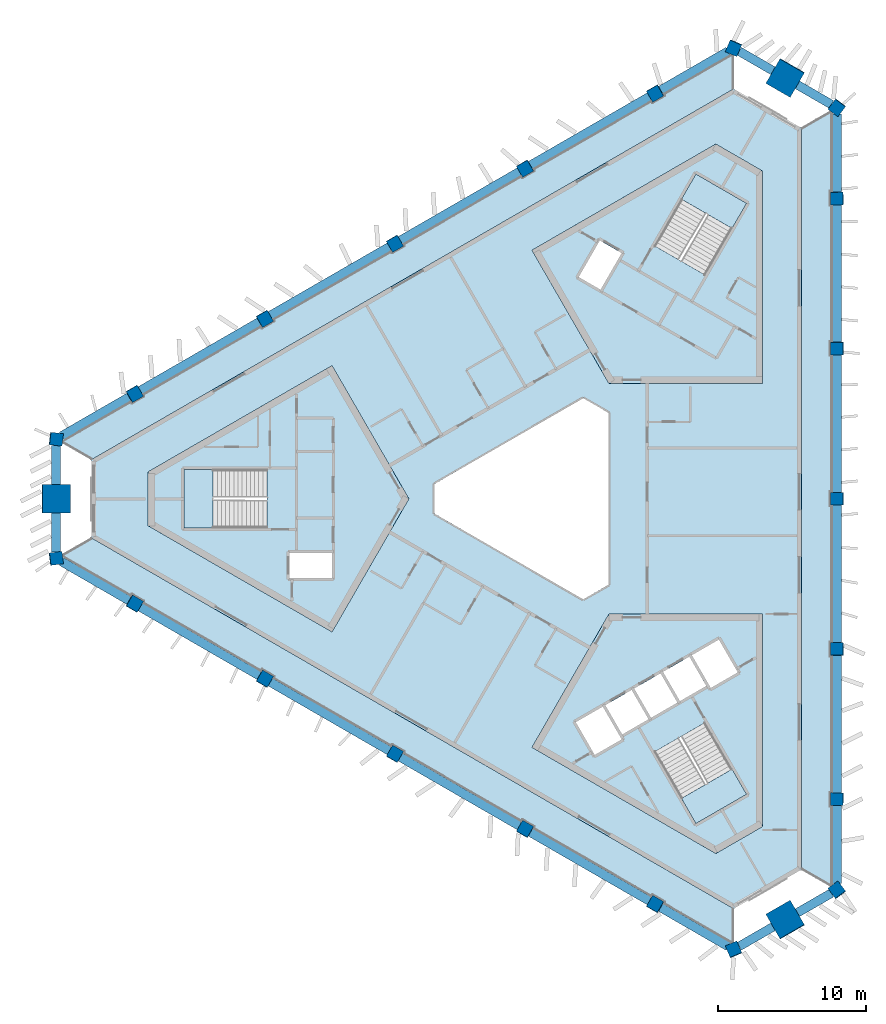
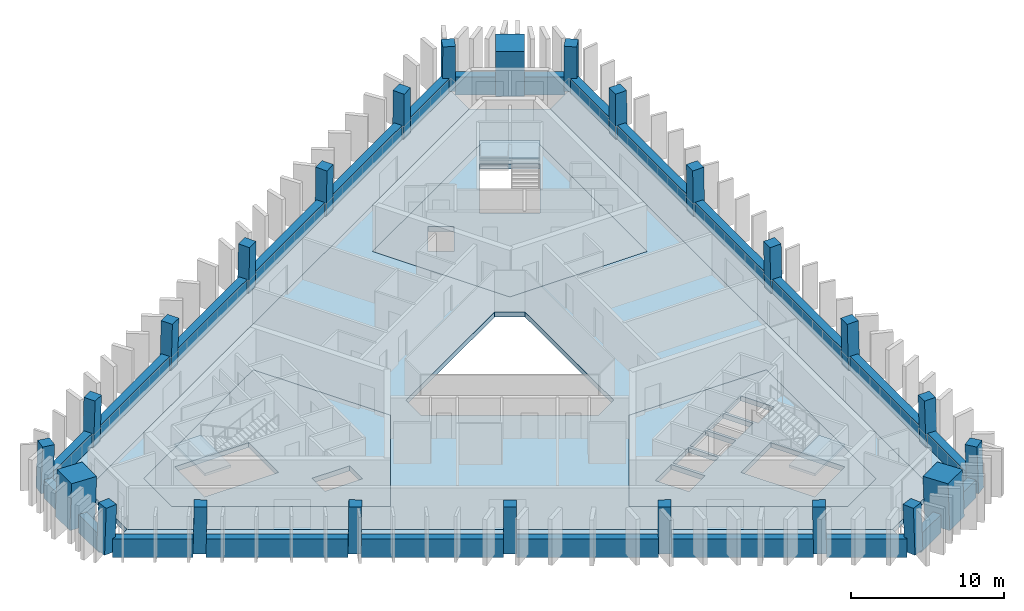
# One storey, part 1 of 9: 24 beams, 24 columns, 10 slabs, 3 elements without a shape of their own.
"""IFC4 building model written with IfcOpenShell, lengths in metres."""

from ifc_helpers import new_model, si_unit, direction, frame, origin, origin_2d, place, context, subcontext, project, spatial, polyline, rectangle, outline, extrude, material, layer, layer_set, material_profile, profile_set, type_object, element, aggregate, save


model = new_model("IFC4")

# Units and contexts
model_context = context("Model", 3, precision=1e-05, world=origin(), true_north=direction((0.0, 1.0)))
body_context = subcontext(model_context, "Body", "Model", "MODEL_VIEW")
ifc_project = project(units=[si_unit("LENGTHUNIT", "METRE"), si_unit("AREAUNIT", "SQUARE_METRE"), si_unit("VOLUMEUNIT", "CUBIC_METRE"), si_unit("PLANEANGLEUNIT", "RADIAN"), si_unit("MASSUNIT", "GRAM", prefix="KILO")], contexts=[model_context])

# Site, building, storey
site_placement = place(None, origin())
site = spatial("IfcSite", under=ifc_project, at=site_placement, CompositionType="ELEMENT")
building_placement = place(site_placement, origin())
building = spatial("IfcBuilding", under=site, at=building_placement, Name="Jabali Bay Hotel Tower and Convention Centre", CompositionType="ELEMENT")
storey_placement = place(building_placement, frame((0.0, 0.0, 235.39990234375)))
storey = spatial("IfcBuildingStorey", under=building, at=storey_placement, Name="L58", CompositionType="ELEMENT", Elevation=235.39990234375)

# Columns
ifc_material_1 = material(Name="Concrete C60", Category="concrete")
ifc_material_profile_1 = material_profile(ifc_material_1, rectangle(XDim=0.85009765625, YDim=0.85009765625, at=origin_2d()), Name="Frame column 850")
ifc_profile_set_1 = profile_set([ifc_material_profile_1], Name="Concrete C60")
column_type_1 = type_object("IfcColumnType", Name="Frame column 850", PredefinedType="COLUMN", material=ifc_profile_set_1)
column_1_placement = place(storey_placement, frame((82.6279296875, 107.38623046875, 0.0), z_axis=(-0.008375902173, -0.028161497857, 0.999568293966), x_axis=(0.865850883257, 0.499846917191, 0.021337931896)))
element("IfcColumn", 1, at=column_1_placement, inside=storey, type_object=column_type_1, Name="FC5 F1.1 L58", PredefinedType="COLUMN", context=body_context, shape_type="SweptSolid", body=[
    extrude(rectangle(XDim=0.85009765625, YDim=0.85009765625, at=origin_2d()), origin(), (0.0, 0.0, 1.0), 3.701904296875),
])
column_2_placement = place(storey_placement, frame((73.838134765625, 102.3115234375, 0.0), z_axis=(0.000857522362, -0.02282328747, 0.99973914708), x_axis=(0.866060219166, 0.499825864794, 0.010667786116)))
element("IfcColumn", 2, at=column_2_placement, inside=storey, type_object=column_type_1, Name="FC5 F1.2 L58", PredefinedType="COLUMN", context=body_context, shape_type="SweptSolid", body=[
    extrude(rectangle(XDim=0.85009765625, YDim=0.85009765625, at=origin_2d()), origin(), (0.0, 0.0, 1.0), 3.701171875),
])
column_3_placement = place(storey_placement, frame((65.04833984375, 97.236572265625, 0.0), z_axis=(0.010092954999, -0.017481261926, 0.999796248113), x_axis=(-0.499897099477, 0.865849541015, 0.020185694417)))
element("IfcColumn", 3, at=column_3_placement, inside=storey, type_object=column_type_1, Name="FC5 F1.3 L58", PredefinedType="COLUMN", context=body_context, shape_type="SweptSolid", body=[
    extrude(rectangle(XDim=0.85009765625, YDim=0.85009765625, at=origin_2d()), origin(), (0.0, 0.0, 1.0), 3.700927734375),
])
column_4_placement = place(storey_placement, frame((56.258544921875, 92.161865234375, 0.0), z_axis=(0.019327242333, -0.012137244332, 0.999739538582), x_axis=(-0.500214328423, 0.865666448646, 0.020179824807)))
element("IfcColumn", 4, at=column_4_placement, inside=storey, type_object=column_type_1, Name="FC5 F1.4 L58", PredefinedType="COLUMN", context=body_context, shape_type="SweptSolid", body=[
    extrude(rectangle(XDim=0.85009765625, YDim=0.85009765625, at=origin_2d()), origin(), (0.0, 0.0, 1.0), 3.701171875),
])
for number, where, z_axis, x_axis, name in (
    (5, (47.468994140625, 87.087158203125, 0.0), (0.028557232129, -0.006793059837, 0.999569076568), (-0.500407681469, 0.865554719029, 0.0201787188), "FC5 F1.5 L58"),
    (6, (47.468994140625, 72.912841796875, 0.0), (0.028557232129, 0.006793059837, 0.999569076568), (-0.865318806464, 0.500768292431, 0.021318547709), "FC5 F2.1 L58"),
):
    element("IfcColumn", number, at=place(storey_placement, frame(where, z_axis=z_axis, x_axis=x_axis)), inside=storey, type_object=column_type_1, Name=name, PredefinedType="COLUMN", context=body_context, shape_type="SweptSolid", body=[
        extrude(rectangle(XDim=0.85009765625, YDim=0.85009765625, at=origin_2d()), origin(), (0.0, 0.0, 1.0), 3.701904296875),
    ])
column_5_placement = place(storey_placement, frame((56.258544921875, 67.838134765625, 0.0), z_axis=(0.019327242333, 0.012137244332, 0.999739538582), x_axis=(-0.865685903399, 0.500474062253, 0.01065972171)))
element("IfcColumn", 7, at=column_5_placement, inside=storey, type_object=column_type_1, Name="FC5 F2.2 L58", PredefinedType="COLUMN", context=body_context, shape_type="SweptSolid", body=[
    extrude(rectangle(XDim=0.85009765625, YDim=0.85009765625, at=origin_2d()), origin(), (0.0, 0.0, 1.0), 3.701171875),
])
column_6_placement = place(storey_placement, frame((65.04833984375, 62.763427734375, 0.0), z_axis=(0.010092954999, 0.017481261926, 0.999796248113), x_axis=(-0.866025993948, 0.499998977805, 1.48321e-07)))
element("IfcColumn", 8, at=column_6_placement, inside=storey, type_object=column_type_1, Name="FC5 F2.3 L58", PredefinedType="COLUMN", context=body_context, shape_type="SweptSolid", body=[
    extrude(rectangle(XDim=0.85009765625, YDim=0.85009765625, at=origin_2d()), origin(), (0.0, 0.0, 1.0), 3.700927734375),
])
column_7_placement = place(storey_placement, frame((73.838134765625, 57.6884765625, 0.0), z_axis=(0.000857522362, 0.02282328747, 0.99973914708), x_axis=(-0.499938957707, -0.865825156964, 0.020194953204)))
element("IfcColumn", 9, at=column_7_placement, inside=storey, type_object=column_type_1, Name="FC5 F2.4 L58", PredefinedType="COLUMN", context=body_context, shape_type="SweptSolid", body=[
    extrude(rectangle(XDim=0.85009765625, YDim=0.85009765625, at=origin_2d()), origin(), (0.0, 0.0, 1.0), 3.701171875),
])
for number, where, z_axis, x_axis, name in (
    (10, (82.6279296875, 52.61376953125, 0.0), (-0.008375902173, 0.028161497857, 0.999568293966), (-0.500232038384, -0.865655814636, 0.020196988914), "FC5 F2.5 L58"),
    (11, (94.903076171875, 59.700927734375, 0.0), (-0.02011540391, 0.021302542501, 0.999570693952), (-0.001404796545, -0.999772598535, 0.021278575243), "FC5 F0.1 L58"),
):
    element("IfcColumn", number, at=place(storey_placement, frame(where, z_axis=z_axis, x_axis=x_axis)), inside=storey, type_object=column_type_1, Name=name, PredefinedType="COLUMN", context=body_context, shape_type="SweptSolid", body=[
        extrude(rectangle(XDim=0.85009765625, YDim=0.85009765625, at=origin_2d()), origin(), (0.0, 0.0, 1.0), 3.701904296875),
    ])
column_8_placement = place(storey_placement, frame((94.903076171875, 69.8505859375, 0.0), z_axis=(-0.020118834968, 0.010620106327, 0.999741189419), x_axis=(0.000183316184, -0.999943526252, 0.010625944785)))
element("IfcColumn", 12, at=column_8_placement, inside=storey, type_object=column_type_1, Name="FC5 F0.2 L58", PredefinedType="COLUMN", context=body_context, shape_type="SweptSolid", body=[
    extrude(rectangle(XDim=0.85009765625, YDim=0.85009765625, at=origin_2d()), origin(), (0.0, 0.0, 1.0), 3.701171875),
])
column_9_placement = place(storey_placement, frame((94.903076171875, 80.0, 0.0), z_axis=(-0.020119969632, 0.0, 0.999797572923), x_axis=(0.0, -1.0, 0.0)))
element("IfcColumn", 13, at=column_9_placement, inside=storey, type_object=column_type_1, Name="FC5 F0.3 L58", PredefinedType="COLUMN", context=body_context, shape_type="SweptSolid", body=[
    extrude(rectangle(XDim=0.85009765625, YDim=0.85009765625, at=origin_2d()), origin(), (0.0, 0.0, 1.0), 3.700927734375),
])
column_10_placement = place(storey_placement, frame((94.903076171875, 90.1494140625, 0.0), z_axis=(-0.020118834968, -0.010620106327, 0.999741189419), x_axis=(0.99979757895, -0.00039705037, 0.020115751944)))
element("IfcColumn", 14, at=column_10_placement, inside=storey, type_object=column_type_1, Name="FC5 F0.4 L58", PredefinedType="COLUMN", context=body_context, shape_type="SweptSolid", body=[
    extrude(rectangle(XDim=0.85009765625, YDim=0.85009765625, at=origin_2d()), origin(), (0.0, 0.0, 1.0), 3.701171875),
])
column_11_placement = place(storey_placement, frame((94.903076171875, 100.299072265625, 0.0), z_axis=(-0.02011540391, -0.021302542501, 0.999570693952), x_axis=(0.999796677866, 0.000976166322, 0.020140755376)))
element("IfcColumn", 15, at=column_11_placement, inside=storey, type_object=column_type_1, Name="FC5 F0.5 L58", PredefinedType="COLUMN", context=body_context, shape_type="SweptSolid", body=[
    extrude(rectangle(XDim=0.85009765625, YDim=0.85009765625, at=origin_2d()), origin(), (0.0, 0.0, 1.0), 3.701904296875),
])
for number, where, z_axis, x_axis, name in (
    (16, (94.903076171875, 53.576171875, 0.0), (-0.020111499633, 0.029013310947, 0.999376683423), (-0.799790502344, -0.600277751073, 0.00133188884), "FC5 V0 L58"),
    (17, (94.903076171875, 106.423828125, 0.0), (-0.020111499633, -0.029013310947, 0.999376683423), (0.599942230505, 0.799265193384, 0.035277056307), "FC5 V1 L58"),
    (18, (87.93212890625, 110.448486328125, 0.0), (-0.015034182801, -0.031914668753, 0.999377519892), (0.920073248874, -0.391744106733, 0.001330994529), "FC5 V2 L58"),
    (19, (42.164794921875, 84.024658203125, 0.0), (0.035145708895, -0.002967273734, 0.999377793646), (-0.991951695762, 0.121612411524, 0.035245632908), "FC5 V3 L58"),
    (20, (42.164794921875, 75.975341796875, 0.0), (0.035145708895, 0.002967273734, 0.999377793646), (-0.121641326949, 0.992573229868, 0.001330762201), "FC5 V4 L58"),
    (21, (87.93212890625, 49.551513671875, 0.0), (-0.015034182801, 0.031914668753, 0.999377519892), (0.39145777557, -0.919520531994, 0.035253385479), "FC5 V5 L58"),
):
    element("IfcColumn", number, at=place(storey_placement, frame(where, z_axis=z_axis, x_axis=x_axis)), inside=storey, type_object=column_type_1, Name=name, PredefinedType="COLUMN", context=body_context, shape_type="SweptSolid", body=[
        extrude(rectangle(XDim=0.85009765625, YDim=0.85009765625, at=origin_2d()), origin(), (0.0, 0.0, 1.0), 3.702392578125),
    ])
ifc_material_2 = material(Name="Concrete C70", Category="concrete")
ifc_material_profile_2 = material_profile(ifc_material_2, rectangle(XDim=1.89990234375, YDim=1.89990234375, at=origin_2d()), Name="Mega column 1900")
ifc_profile_set_2 = profile_set([ifc_material_profile_2], Name="Concrete C70")
column_type_2 = type_object("IfcColumnType", Name="Mega column 1900", PredefinedType="COLUMN", material=ifc_profile_set_2)
for number, where, z_axis, x_axis, name in (
    (22, (91.417724609375, 108.436279296875, 0.0), (-0.017605841609, -0.030529980019, 0.999378784376), (0.866282372425, -0.499554652892, 2.36814e-07), "MC5 M1 L58"),
    (23, (42.164794921875, 80.0, 0.0), (0.03514586362, 0.0, 0.999382193293), (0.0, 1.0, 0.0), "MC5 M0 L58"),
    (24, (91.417724609375, 51.563720703125, 0.0), (-0.017605841609, 0.030529980019, 0.999378784376), (0.499244314507, -0.86574422845, 0.035242663615), "MC5 M2 L58"),
):
    element("IfcColumn", number, at=place(storey_placement, frame(where, z_axis=z_axis, x_axis=x_axis)), inside=storey, type_object=column_type_2, Name=name, PredefinedType="COLUMN", context=body_context, shape_type="SweptSolid", body=[
        extrude(rectangle(XDim=1.89990234375, YDim=1.89990234375, at=origin_2d()), origin(), (0.0, 0.0, 1.0), 3.702392578125),
    ])

# Beams
ifc_material_profile_3 = material_profile(ifc_material_1, rectangle(XDim=0.60009765625, YDim=1.449951171875, at=origin_2d()), Name="Spandrel 600x1450")
ifc_profile_set_3 = profile_set([ifc_material_profile_3], Name="Concrete C60")
beam_type = type_object("IfcBeamType", Name="Spandrel 600x1450", PredefinedType="SPANDREL", material=ifc_profile_set_3)
beam_1_placement = place(storey_placement, frame((90.58837890625, 108.899658203125, 0.375), z_axis=(-0.866016748302, 0.500014991436, 0.0), x_axis=(-0.500014991436, -0.866016748302, 0.0)))
element("IfcBeam", 25, at=beam_1_placement, inside=storey, type_object=beam_type, Name="Spandrel M1-V2 L58", PredefinedType="SPANDREL", context=body_context, shape_type="SweptSolid", body=[
    extrude(rectangle(XDim=0.60009765625, YDim=1.449951171875, at=origin_2d()), origin(), (0.0, 0.0, 1.0), 2.64892578125),
])
beam_2_placement = place(storey_placement, frame((87.558349609375, 110.22412109375, 0.375), z_axis=(-0.866014374981, -0.500019101961, 0.0), x_axis=(0.500019101961, -0.866014374981, 0.0)))
element("IfcBeam", 26, at=beam_2_placement, inside=storey, type_object=beam_type, Name="Spandrel V2-F1.1 L58", PredefinedType="SPANDREL", context=body_context, shape_type="SweptSolid", body=[
    extrude(rectangle(XDim=0.60009765625, YDim=1.449951171875, at=origin_2d()), origin(), (0.0, 0.0, 1.0), 5.271728515625),
])
beam_3_placement = place(storey_placement, frame((82.256591796875, 107.1630859375, 0.375), z_axis=(-0.866025067441, -0.500000582564, 0.0), x_axis=(0.500000582564, -0.866025067441, 0.0)))
element("IfcBeam", 27, at=beam_3_placement, inside=storey, type_object=beam_type, Name="Spandrel F1.1-F1.2 L58", PredefinedType="SPANDREL", context=body_context, shape_type="SweptSolid", body=[
    extrude(rectangle(XDim=0.60009765625, YDim=1.449951171875, at=origin_2d()), origin(), (0.0, 0.0, 1.0), 9.29541015625),
])
beam_4_placement = place(storey_placement, frame((73.470458984375, 102.09033203125, 0.375), z_axis=(-0.8660316334, -0.499989209833, 0.0), x_axis=(0.499989209833, -0.8660316334, 0.0)))
element("IfcBeam", 28, at=beam_4_placement, inside=storey, type_object=beam_type, Name="Spandrel F1.2-F1.3 L58", PredefinedType="SPANDREL", context=body_context, shape_type="SweptSolid", body=[
    extrude(rectangle(XDim=0.60009765625, YDim=1.449951171875, at=origin_2d()), origin(), (0.0, 0.0, 1.0), 9.295654296875),
])
beam_5_placement = place(storey_placement, frame((64.68408203125, 97.017578125, 0.375), z_axis=(-0.866025067441, -0.500000582564, 0.0), x_axis=(0.500000582564, -0.866025067441, 0.0)))
element("IfcBeam", 29, at=beam_5_placement, inside=storey, type_object=beam_type, Name="Spandrel F1.3-F1.4 L58", PredefinedType="SPANDREL", context=body_context, shape_type="SweptSolid", body=[
    extrude(rectangle(XDim=0.60009765625, YDim=1.449951171875, at=origin_2d()), origin(), (0.0, 0.0, 1.0), 9.29541015625),
])
beam_6_placement = place(storey_placement, frame((55.89794921875, 91.94482421875, 0.375), z_axis=(-0.8660316334, -0.499989209833, 0.0), x_axis=(0.499989209833, -0.8660316334, 0.0)))
element("IfcBeam", 30, at=beam_6_placement, inside=storey, type_object=beam_type, Name="Spandrel F1.4-F1.5 L58", PredefinedType="SPANDREL", context=body_context, shape_type="SweptSolid", body=[
    extrude(rectangle(XDim=0.60009765625, YDim=1.449951171875, at=origin_2d()), origin(), (0.0, 0.0, 1.0), 9.295654296875),
])
beam_7_placement = place(storey_placement, frame((47.111572265625, 86.8720703125, 0.375), z_axis=(-0.866025952902, -0.4999990489, 0.0), x_axis=(0.4999990489, -0.866025952902, 0.0)))
element("IfcBeam", 31, at=beam_7_placement, inside=storey, type_object=beam_type, Name="Spandrel F1.5-V3 L58", PredefinedType="SPANDREL", context=body_context, shape_type="SweptSolid", body=[
    extrude(rectangle(XDim=0.60009765625, YDim=1.449951171875, at=origin_2d()), origin(), (0.0, 0.0, 1.0), 5.27197265625),
])
for number, where, z_axis, x_axis, name in (
    (32, (42.177978515625, 83.5986328125, 0.375), (0.0, -1.0, 0.0), (1.0, 0.0, 0.0), "Spandrel V3-M0 L58"),
    (33, (42.177978515625, 79.050048828125, 0.375), (0.0, -1.0, 0.0), (1.0, 0.0, 0.0), "Spandrel M0-V4 L58"),
):
    element("IfcBeam", number, at=place(storey_placement, frame(where, z_axis=z_axis, x_axis=x_axis)), inside=storey, type_object=beam_type, Name=name, PredefinedType="SPANDREL", context=body_context, shape_type="SweptSolid", body=[
        extrude(rectangle(XDim=0.60009765625, YDim=1.449951171875, at=origin_2d()), origin(), (0.0, 0.0, 1.0), 2.648681640625),
    ])
beam_8_placement = place(storey_placement, frame((42.5458984375, 75.763916015625, 0.375), z_axis=(0.866025952902, -0.4999990489, 0.0), x_axis=(0.4999990489, 0.866025952902, 0.0)))
element("IfcBeam", 34, at=beam_8_placement, inside=storey, type_object=beam_type, Name="Spandrel V4-F2.1 L58", PredefinedType="SPANDREL", context=body_context, shape_type="SweptSolid", body=[
    extrude(rectangle(XDim=0.60009765625, YDim=1.449951171875, at=origin_2d()), origin(), (0.0, 0.0, 1.0), 5.27197265625),
])
beam_9_placement = place(storey_placement, frame((47.84765625, 72.702880859375, 0.375), z_axis=(0.8660316334, -0.499989209833, 0.0), x_axis=(0.499989209833, 0.8660316334, 0.0)))
element("IfcBeam", 35, at=beam_9_placement, inside=storey, type_object=beam_type, Name="Spandrel F2.1-F2.2 L58", PredefinedType="SPANDREL", context=body_context, shape_type="SweptSolid", body=[
    extrude(rectangle(XDim=0.60009765625, YDim=1.449951171875, at=origin_2d()), origin(), (0.0, 0.0, 1.0), 9.295654296875),
])
beam_10_placement = place(storey_placement, frame((56.634033203125, 67.630126953125, 0.375), z_axis=(0.866025067441, -0.500000582564, 0.0), x_axis=(0.500000582564, 0.866025067441, 0.0)))
element("IfcBeam", 36, at=beam_10_placement, inside=storey, type_object=beam_type, Name="Spandrel F2.2-F2.3 L58", PredefinedType="SPANDREL", context=body_context, shape_type="SweptSolid", body=[
    extrude(rectangle(XDim=0.60009765625, YDim=1.449951171875, at=origin_2d()), origin(), (0.0, 0.0, 1.0), 9.29541015625),
])
beam_11_placement = place(storey_placement, frame((65.420166015625, 62.557373046875, 0.375), z_axis=(0.8660316334, -0.499989209833, 0.0), x_axis=(0.499989209833, 0.8660316334, 0.0)))
element("IfcBeam", 37, at=beam_11_placement, inside=storey, type_object=beam_type, Name="Spandrel F2.3-F2.4 L58", PredefinedType="SPANDREL", context=body_context, shape_type="SweptSolid", body=[
    extrude(rectangle(XDim=0.60009765625, YDim=1.449951171875, at=origin_2d()), origin(), (0.0, 0.0, 1.0), 9.295654296875),
])
beam_12_placement = place(storey_placement, frame((74.20654296875, 57.484619140625, 0.375), z_axis=(0.866025067441, -0.500000582564, 0.0), x_axis=(0.500000582564, 0.866025067441, 0.0)))
element("IfcBeam", 38, at=beam_12_placement, inside=storey, type_object=beam_type, Name="Spandrel F2.4-F2.5 L58", PredefinedType="SPANDREL", context=body_context, shape_type="SweptSolid", body=[
    extrude(rectangle(XDim=0.60009765625, YDim=1.449951171875, at=origin_2d()), origin(), (0.0, 0.0, 1.0), 9.29541015625),
])
beam_13_placement = place(storey_placement, frame((82.992919921875, 52.411865234375, 0.375), z_axis=(0.866014374981, -0.500019101961, 0.0), x_axis=(0.500019101961, 0.866014374981, 0.0)))
element("IfcBeam", 39, at=beam_13_placement, inside=storey, type_object=beam_type, Name="Spandrel F2.5-V5 L58", PredefinedType="SPANDREL", context=body_context, shape_type="SweptSolid", body=[
    extrude(rectangle(XDim=0.60009765625, YDim=1.449951171875, at=origin_2d()), origin(), (0.0, 0.0, 1.0), 5.271728515625),
])
beam_14_placement = place(storey_placement, frame((88.29443359375, 49.77587890625, 0.375), z_axis=(0.866016748302, 0.500014991436, 0.0), x_axis=(-0.500014991436, 0.866016748302, 0.0)))
element("IfcBeam", 40, at=beam_14_placement, inside=storey, type_object=beam_type, Name="Spandrel V5-M2 L58", PredefinedType="SPANDREL", context=body_context, shape_type="SweptSolid", body=[
    extrude(rectangle(XDim=0.60009765625, YDim=1.449951171875, at=origin_2d()), origin(), (0.0, 0.0, 1.0), 2.64892578125),
])
beam_15_placement = place(storey_placement, frame((92.23388671875, 52.05029296875, 0.375), z_axis=(0.866033617385, 0.499985773357, 0.0), x_axis=(-0.499985773357, 0.866033617385, 0.0)))
element("IfcBeam", 41, at=beam_15_placement, inside=storey, type_object=beam_type, Name="Spandrel M2-V0 L58", PredefinedType="SPANDREL", context=body_context, shape_type="SweptSolid", body=[
    extrude(rectangle(XDim=0.60009765625, YDim=1.449951171875, at=origin_2d()), origin(), (0.0, 0.0, 1.0), 2.6484375),
])
beam_16_placement = place(storey_placement, frame((94.8955078125, 54.011962890625, 0.375), z_axis=(0.0, 1.0, 0.0), x_axis=(-1.0, 0.0, 0.0)))
element("IfcBeam", 42, at=beam_16_placement, inside=storey, type_object=beam_type, Name="Spandrel V0-F0.1 L58", PredefinedType="SPANDREL", context=body_context, shape_type="SweptSolid", body=[
    extrude(rectangle(XDim=0.60009765625, YDim=1.449951171875, at=origin_2d()), origin(), (0.0, 0.0, 1.0), 5.27197265625),
])
for number, where, z_axis, x_axis, name in (
    (43, (94.8955078125, 60.134033203125, 0.375), (0.0, 1.0, 0.0), (-1.0, 0.0, 0.0), "Spandrel F0.1-F0.2 L58"),
    (44, (94.8955078125, 70.279541015625, 0.375), (0.0, 1.0, 0.0), (-1.0, 0.0, 0.0), "Spandrel F0.2-F0.3 L58"),
    (45, (94.8955078125, 80.425048828125, 0.375), (0.0, 1.0, 0.0), (-1.0, 0.0, 0.0), "Spandrel F0.3-F0.4 L58"),
    (46, (94.8955078125, 90.570556640625, 0.375), (0.0, 1.0, 0.0), (-1.0, 0.0, 0.0), "Spandrel F0.4-F0.5 L58"),
):
    element("IfcBeam", number, at=place(storey_placement, frame(where, z_axis=z_axis, x_axis=x_axis)), inside=storey, type_object=beam_type, Name=name, PredefinedType="SPANDREL", context=body_context, shape_type="SweptSolid", body=[
        extrude(rectangle(XDim=0.60009765625, YDim=1.449951171875, at=origin_2d()), origin(), (0.0, 0.0, 1.0), 9.29541015625),
    ])
beam_17_placement = place(storey_placement, frame((94.8955078125, 100.716064453125, 0.375), z_axis=(0.0, 1.0, 0.0), x_axis=(-1.0, 0.0, 0.0)))
element("IfcBeam", 47, at=beam_17_placement, inside=storey, type_object=beam_type, Name="Spandrel F0.5-V1 L58", PredefinedType="SPANDREL", context=body_context, shape_type="SweptSolid", body=[
    extrude(rectangle(XDim=0.60009765625, YDim=1.449951171875, at=origin_2d()), origin(), (0.0, 0.0, 1.0), 5.27197265625),
])
beam_18_placement = place(storey_placement, frame((94.527587890625, 106.62548828125, 0.375), z_axis=(-0.866033617385, 0.499985773357, 0.0), x_axis=(-0.499985773357, -0.866033617385, 0.0)))
element("IfcBeam", 48, at=beam_18_placement, inside=storey, type_object=beam_type, Name="Spandrel V1-M1 L58", PredefinedType="SPANDREL", context=body_context, shape_type="SweptSolid", body=[
    extrude(rectangle(XDim=0.60009765625, YDim=1.449951171875, at=origin_2d()), origin(), (0.0, 0.0, 1.0), 2.6484375),
])

# Slabs
ifc_material_3 = material(Name="Concrete C40", Category="concrete")
ifc_layer_1 = layer(ifc_material_3, 0.39990234375)
ifc_layer_set_1 = layer_set([ifc_layer_1], Name="Concrete C40")
slab_type_1 = type_object("IfcSlabType", Name="Core floor slab 400", PredefinedType="FLOOR", material=ifc_layer_set_1)
slab_1_placement = place(storey_placement, frame((0.0, 0.0, -0.39990234375)))
element("IfcSlab", 49, at=slab_1_placement, inside=storey, type_object=slab_type_1, Name="Core floor slab 1 L58", PredefinedType="FLOOR", context=body_context, shape_type="SweptSolid", body=[
    extrude(outline(polyline([(66.0, 80.0), (60.81005859375, 88.9892578125), (48.39697265625, 81.82275390625), (48.39697265625, 78.17724609375), (60.81005859375, 71.0107421875), (66.0, 80.0)]), holes=[polyline([(60.800048828125, 76.35009765625), (57.949951171875, 76.35009765625), (57.949951171875, 74.64990234375), (60.800048828125, 74.64990234375), (60.800048828125, 76.35009765625)]), polyline([(50.820068359375, 81.97509765625), (50.820068359375, 78.02490234375), (56.409912109375, 78.02490234375), (56.409912109375, 81.97509765625), (50.820068359375, 81.97509765625)])]), origin(), (0.0, 0.0, 1.0), 0.39990234375),
])
slab_2_placement = place(storey_placement, frame((0.0, 0.0, -0.39990234375)))
element("IfcSlab", 50, at=slab_2_placement, inside=storey, type_object=slab_type_1, Name="Core floor slab 2 L58", PredefinedType="FLOOR", context=body_context, shape_type="SweptSolid", body=[
    extrude(outline(polyline([(79.5, 87.794189453125), (89.8798828125, 87.794189453125), (89.8798828125, 102.127685546875), (86.72314453125, 103.9501953125), (74.31005859375, 96.78369140625), (79.5, 87.794189453125)]), holes=[polyline([(78.93896484375, 94.12255859375), (80.364013671875, 96.5908203125), (78.891845703125, 97.440673828125), (77.466796875, 94.97265625), (78.93896484375, 94.12255859375)]), polyline([(88.80029296875, 99.952880859375), (85.379638671875, 101.927978515625), (82.584716796875, 97.0869140625), (86.00537109375, 95.11181640625), (88.80029296875, 99.952880859375)])]), origin(), (0.0, 0.0, 1.0), 0.39990234375),
])
slab_3_placement = place(storey_placement, frame((0.0, 0.0, -0.39990234375)))
element("IfcSlab", 51, at=slab_3_placement, inside=storey, type_object=slab_type_1, Name="Core floor slab 3 L58", PredefinedType="FLOOR", context=body_context, shape_type="SweptSolid", body=[
    extrude(outline(polyline([(79.5, 72.205810546875), (74.31005859375, 63.21630859375), (86.72314453125, 56.0498046875), (89.8798828125, 57.872314453125), (89.8798828125, 72.205810546875), (79.5, 72.205810546875)]), holes=[polyline([(82.584716796875, 62.9130859375), (85.379638671875, 58.072021484375), (88.80029296875, 60.047119140625), (86.00537109375, 64.88818359375), (82.584716796875, 62.9130859375)]), polyline([(80.365478515625, 63.756591796875), (79.090576171875, 65.96484375), (77.27197265625, 64.9150390625), (78.546875, 62.70654296875), (80.365478515625, 63.756591796875)]), polyline([(82.17919921875, 65.115478515625), (81.0390625, 67.08984375), (79.263671875, 66.06494140625), (80.40380859375, 64.09033203125), (82.17919921875, 65.115478515625)]), polyline([(82.98779296875, 68.21484375), (81.21240234375, 67.18994140625), (82.352294921875, 65.21533203125), (84.127685546875, 66.240478515625), (82.98779296875, 68.21484375)]), polyline([(86.076171875, 67.365478515625), (84.936279296875, 69.33984375), (83.160888671875, 68.31494140625), (84.30078125, 66.34033203125), (86.076171875, 67.365478515625)]), polyline([(88.203125, 68.281494140625), (86.927978515625, 70.489990234375), (85.109375, 69.43994140625), (86.384521484375, 67.231689453125), (88.203125, 68.281494140625)])]), origin(), (0.0, 0.0, 1.0), 0.39990234375),
])
ifc_layer_2 = layer(ifc_material_3, 0.199951171875)
ifc_layer_set_2 = layer_set([ifc_layer_2], Name="Concrete C40")
slab_type_2 = type_object("IfcSlabType", Name="Loggia slab 200", PredefinedType="FLOOR", material=ifc_layer_set_2)
slab_4_placement = place(storey_placement, frame((0.0, 0.0, -0.199951171875)))
element("IfcSlab", 52, at=slab_4_placement, inside=storey, type_object=slab_type_2, Name="Loggia slab east face L58", PredefinedType="FLOOR", context=body_context, shape_type="SweptSolid", body=[
    extrude(outline(polyline([(92.503173828125, 105.0380859375), (94.50341796875, 106.19287109375), (94.603271484375, 106.11767578125), (94.603271484375, 100.72412109375), (94.478271484375, 100.72412109375), (94.478271484375, 99.8740234375), (94.603271484375, 99.8740234375), (94.603271484375, 90.574462890625), (94.478271484375, 90.574462890625), (94.478271484375, 89.724609375), (94.603271484375, 89.724609375), (94.603271484375, 80.425048828125), (94.478271484375, 80.425048828125), (94.478271484375, 79.574951171875), (94.603271484375, 79.574951171875), (94.603271484375, 70.275390625), (94.478271484375, 70.275390625), (94.478271484375, 69.425537109375), (94.603271484375, 69.425537109375), (94.603271484375, 60.1259765625), (94.478271484375, 60.1259765625), (94.478271484375, 59.27587890625), (94.603271484375, 59.27587890625), (94.603271484375, 53.88232421875), (94.50341796875, 53.80712890625), (92.503173828125, 54.9619140625), (92.503173828125, 105.0380859375)])), origin(), (0.0, 0.0, 1.0), 0.199951171875),
])
slab_5_placement = place(storey_placement, frame((0.0, 0.0, -0.199951171875)))
element("IfcSlab", 53, at=slab_5_placement, inside=storey, type_object=slab_type_2, Name="Loggia slab north-west face L58", PredefinedType="FLOOR", context=body_context, shape_type="SweptSolid", body=[
    extrude(outline(polyline([(44.564697265625, 82.63916015625), (42.564697265625, 83.7939453125), (42.579833984375, 83.91796875), (47.250732421875, 86.61474609375), (47.313232421875, 86.506591796875), (48.049560546875, 86.931640625), (47.987060546875, 87.039794921875), (56.04052734375, 91.689697265625), (56.10302734375, 91.581298828125), (56.839111328125, 92.00634765625), (56.776611328125, 92.114501953125), (64.830322265625, 96.764404296875), (64.892822265625, 96.656005859375), (65.62890625, 97.0810546875), (65.56640625, 97.189453125), (73.6201171875, 101.839111328125), (73.6826171875, 101.73095703125), (74.418701171875, 102.15576171875), (74.356201171875, 102.26416015625), (82.409912109375, 106.913818359375), (82.472412109375, 106.8056640625), (83.20849609375, 107.230712890625), (83.14599609375, 107.3388671875), (87.81689453125, 110.03564453125), (87.93212890625, 109.98681640625), (87.93212890625, 107.67724609375), (44.564697265625, 82.63916015625)])), origin(), (0.0, 0.0, 1.0), 0.199951171875),
])
slab_6_placement = place(storey_placement, frame((0.0, 0.0, -0.199951171875)))
element("IfcSlab", 54, at=slab_6_placement, inside=storey, type_object=slab_type_2, Name="Loggia slab south-west face L58", PredefinedType="FLOOR", context=body_context, shape_type="SweptSolid", body=[
    extrude(outline(polyline([(87.93212890625, 52.32275390625), (87.93212890625, 50.01318359375), (87.81689453125, 49.96435546875), (83.14599609375, 52.6611328125), (83.20849609375, 52.769287109375), (82.472412109375, 53.1943359375), (82.409912109375, 53.086181640625), (74.356201171875, 57.73583984375), (74.418701171875, 57.84423828125), (73.6826171875, 58.26904296875), (73.6201171875, 58.160888671875), (65.56640625, 62.810546875), (65.62890625, 62.9189453125), (64.892822265625, 63.343994140625), (64.830322265625, 63.235595703125), (56.776611328125, 67.885498046875), (56.839111328125, 67.99365234375), (56.10302734375, 68.418701171875), (56.04052734375, 68.310302734375), (47.987060546875, 72.960205078125), (48.049560546875, 73.068359375), (47.313232421875, 73.493408203125), (47.250732421875, 73.38525390625), (42.579833984375, 76.08203125), (42.564697265625, 76.2060546875), (44.564697265625, 77.36083984375), (87.93212890625, 52.32275390625)])), origin(), (0.0, 0.0, 1.0), 0.199951171875),
])
ifc_layer_3 = layer(ifc_material_3, 0.39990234375)
ifc_layer_set_3 = layer_set([ifc_layer_3], Name="Concrete C40")
slab_type_3 = type_object("IfcSlabType", Name="Post-tensioned flat slab 400", PredefinedType="FLOOR", material=ifc_layer_set_3)
slab_7_placement = place(storey_placement, frame((0.0, 0.0, -0.39990234375)))
element("IfcSlab", 55, at=slab_7_placement, inside=storey, type_object=slab_type_3, Name="Floor slab L58", PredefinedType="FLOOR", context=body_context, shape_type="SweptSolid", body=[
    extrude(outline(polyline([(87.93212890625, 107.67724609375), (92.503173828125, 105.0380859375), (92.503173828125, 54.9619140625), (87.93212890625, 52.32275390625), (44.564697265625, 77.36083984375), (44.564697265625, 82.63916015625), (87.93212890625, 107.67724609375)]), holes=[polyline([(67.73193359375, 79.0), (77.76806640625, 73.205810546875), (79.5, 74.205810546875), (79.5, 85.794189453125), (77.76806640625, 86.794189453125), (67.73193359375, 81.0), (67.73193359375, 79.0)]), polyline([(48.39697265625, 78.17724609375), (60.81005859375, 71.0107421875), (66.0, 80.0), (60.81005859375, 88.9892578125), (48.39697265625, 81.82275390625), (48.39697265625, 78.17724609375)]), polyline([(89.8798828125, 102.127685546875), (86.72314453125, 103.9501953125), (74.31005859375, 96.78369140625), (79.5, 87.794189453125), (89.8798828125, 87.794189453125), (89.8798828125, 102.127685546875)]), polyline([(74.31005859375, 63.21630859375), (86.72314453125, 56.0498046875), (89.8798828125, 57.872314453125), (89.8798828125, 72.205810546875), (79.5, 72.205810546875), (74.31005859375, 63.21630859375)])]), origin(), (0.0, 0.0, 1.0), 0.39990234375),
])

# Stair, slab
stair_type = type_object("IfcStairType", Name="Exit stair 1900", PredefinedType="HALF_TURN_STAIR", material=ifc_material_3)
stair_1_placement = place(storey_placement, origin())
stair_1 = element("IfcStair", 56, at=stair_1_placement, inside=storey, type_object=stair_type, Name="L58 Exit Stair 1", PredefinedType="HALF_TURN_STAIR")
ifc_layer_4 = layer(ifc_material_3, 0.199951171875)
ifc_layer_set_4 = layer_set([ifc_layer_4], Name="Concrete C40")
slab_type_4 = type_object("IfcSlabType", Name="Stair landing 200", PredefinedType="LANDING", material=ifc_layer_set_4)
slab_8_placement = place(storey_placement, frame((0.0, 0.0, 1.650146484375)))
slab_8 = element("IfcSlab", 57, at=slab_8_placement, type_object=slab_type_4, Name="ST1 landing 1", PredefinedType="LANDING", context=body_context, shape_type="SweptSolid", body=[
    extrude(outline(polyline([(52.782958984375, 81.97509765625), (50.820068359375, 81.97509765625), (50.820068359375, 78.02490234375), (52.782958984375, 78.02490234375), (52.782958984375, 81.97509765625)])), origin(), (0.0, 0.0, 1.0), 0.199951171875),
])
aggregate(stair_1, [slab_8])

stair_2_placement = place(storey_placement, origin())
stair_2 = element("IfcStair", 58, at=stair_2_placement, inside=storey, type_object=stair_type, Name="L58 Exit Stair 2", PredefinedType="HALF_TURN_STAIR")
slab_9_placement = place(storey_placement, frame((0.0, 0.0, 1.650146484375)))
slab_9 = element("IfcSlab", 59, at=slab_9_placement, type_object=slab_type_4, Name="ST2 landing 1", PredefinedType="LANDING", context=body_context, shape_type="SweptSolid", body=[
    extrude(outline(polyline([(87.81884765625, 98.2529296875), (88.80029296875, 99.952880859375), (85.379638671875, 101.927978515625), (84.398193359375, 100.22802734375), (87.81884765625, 98.2529296875)])), origin(), (0.0, 0.0, 1.0), 0.199951171875),
])
aggregate(stair_2, [slab_9])

stair_3_placement = place(storey_placement, origin())
stair_3 = element("IfcStair", 60, at=stair_3_placement, inside=storey, type_object=stair_type, Name="L58 Exit Stair 3", PredefinedType="HALF_TURN_STAIR")
slab_10_placement = place(storey_placement, frame((0.0, 0.0, 1.650146484375)))
slab_10 = element("IfcSlab", 61, at=slab_10_placement, type_object=slab_type_4, Name="ST3 landing 1", PredefinedType="LANDING", context=body_context, shape_type="SweptSolid", body=[
    extrude(outline(polyline([(84.398193359375, 59.77197265625), (85.379638671875, 58.072021484375), (88.80029296875, 60.047119140625), (87.81884765625, 61.7470703125), (84.398193359375, 59.77197265625)])), origin(), (0.0, 0.0, 1.0), 0.199951171875),
])
aggregate(stair_3, [slab_10])

save(model, "model.ifc")
